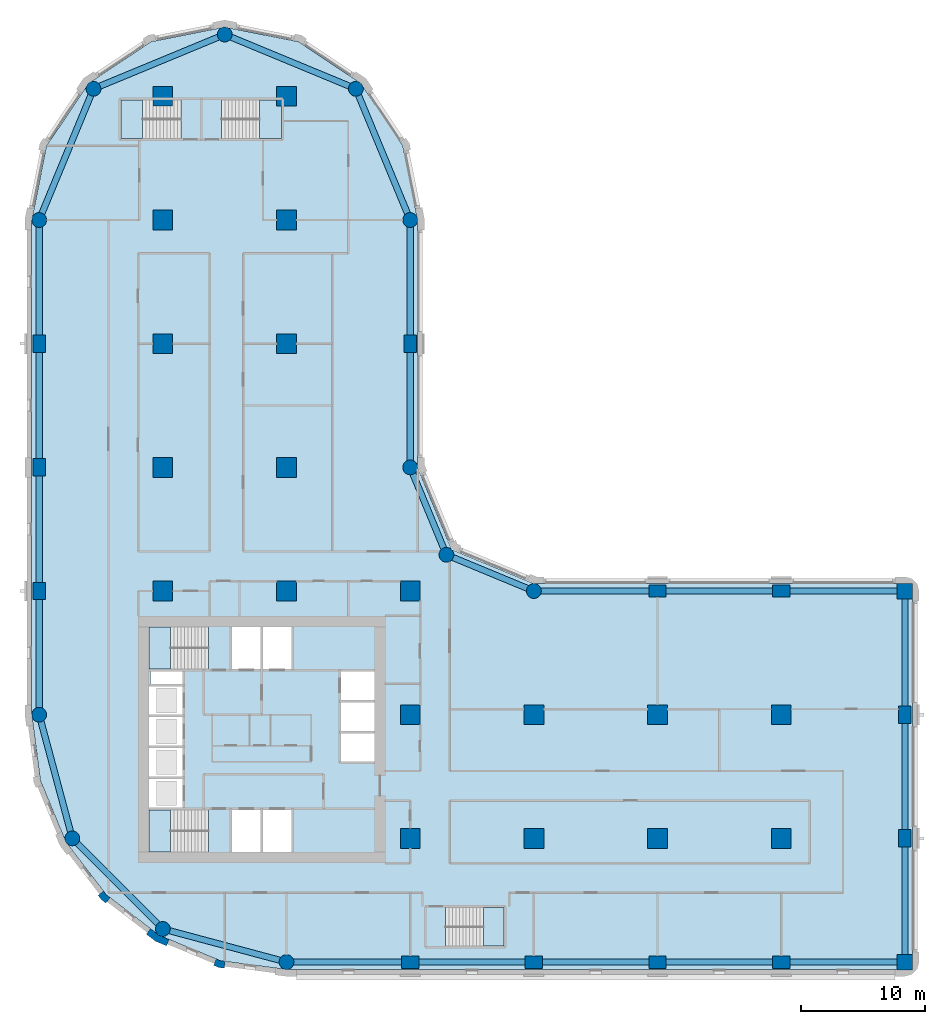
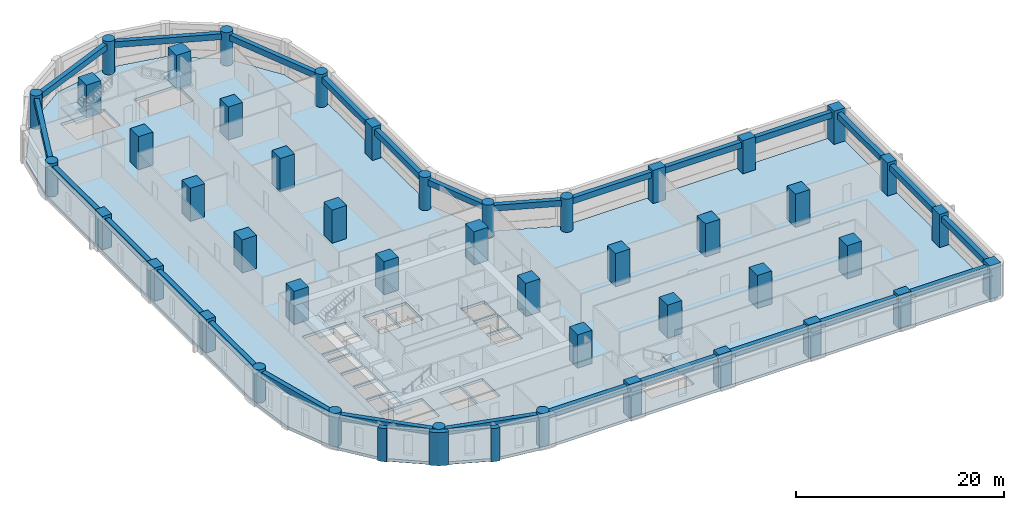
# One storey, part 1 of 10: 45 columns, 26 beams, 6 slabs, 3 walls, 5 elements without a shape of their own.
"""IFC4 building model written with IfcOpenShell, lengths in metres."""

from ifc_helpers import new_model, si_unit, direction, frame, origin, origin_2d, place, context, subcontext, project, spatial, polyline, rectangle, circle, outline, extrude, material, layer, layer_set, material_profile, profile_set, type_object, element, aggregate, save


model = new_model("IFC4")

# Units and contexts
model_context = context("Model", 3, precision=1e-05, world=origin(), true_north=direction((0.0, 1.0)))
body_context = subcontext(model_context, "Body", "Model", "MODEL_VIEW")
ifc_project = project(units=[si_unit("LENGTHUNIT", "METRE"), si_unit("AREAUNIT", "SQUARE_METRE"), si_unit("VOLUMEUNIT", "CUBIC_METRE"), si_unit("PLANEANGLEUNIT", "RADIAN"), si_unit("MASSUNIT", "GRAM", prefix="KILO")], contexts=[model_context])

# Site, building, storey
site_placement = place(None, origin())
site = spatial("IfcSite", under=ifc_project, at=site_placement, CompositionType="ELEMENT")
building_placement = place(site_placement, origin())
building = spatial("IfcBuilding", under=site, at=building_placement, Name="Qaws Garden Tower", CompositionType="ELEMENT")
storey_placement = place(building_placement, frame((0.0, 0.0, 105.60009765625)))
storey = spatial("IfcBuildingStorey", under=building, at=storey_placement, Name="L26", CompositionType="ELEMENT", Elevation=105.60009765625)

# Columns
ifc_material_1 = material(Name="Concrete C80", Category="concrete")
ifc_material_profile_1 = material_profile(ifc_material_1, rectangle(XDim=1.25, YDim=1.25, at=origin_2d()), Name="RC 1250x1250")
ifc_profile_set_1 = profile_set([ifc_material_profile_1], Name="Concrete C80")
column_type_1 = type_object("IfcColumnType", Name="Column RC 1250x1250 C80", PredefinedType="COLUMN", material=ifc_profile_set_1)
for number, where, z_axis, x_axis, name in (
    (1, (70.0, 0.0, 0.0), (0.0, 0.0, 1.0), (1.0, 0.0, 0.0), "Column L26-006"),
    (2, (70.0, 30.0, 0.0), (0.0, 0.0, 1.0), (1.0, 0.0, 0.0), "Column L26-009"),
):
    element("IfcColumn", number, at=place(storey_placement, frame(where, z_axis=z_axis, x_axis=x_axis)), inside=storey, type_object=column_type_1, Name=name, PredefinedType="COLUMN", context=body_context, shape_type="SweptSolid", body=[
        extrude(rectangle(XDim=1.25, YDim=1.25, at=origin_2d()), origin(), (0.0, 0.0, 1.0), 3.89990234375),
    ])
ifc_material_2 = material(Name="Concrete C80", Category="concrete")
ifc_material_profile_2 = material_profile(ifc_material_2, rectangle(XDim=1.39990234375, YDim=1.0, at=origin_2d()), Name="RC 1400x1000")
ifc_profile_set_2 = profile_set([ifc_material_profile_2], Name="Concrete C80")
column_type_2 = type_object("IfcColumnType", Name="Column RC 1400x1000 C80", PredefinedType="COLUMN", material=ifc_profile_set_2)
for number, where, z_axis, x_axis, name in (
    (3, (30.0, 0.0, 0.0), (0.0, 0.0, 1.0), (1.0, 0.0, 0.0), "Column L26-002"),
    (4, (40.0, 0.0, 0.0), (0.0, 0.0, 1.0), (1.0, 0.0, 0.0), "Column L26-003"),
    (5, (50.0, 0.0, 0.0), (0.0, 0.0, 1.0), (1.0, 0.0, 0.0), "Column L26-004"),
    (6, (60.0, 0.0, 0.0), (0.0, 0.0, 1.0), (1.0, 0.0, 0.0), "Column L26-005"),
    (7, (70.0, 10.0, 0.0), (0.0, 0.0, 1.0), (0.0, 1.0, 0.0), "Column L26-007"),
    (8, (70.0, 20.0, 0.0), (0.0, 0.0, 1.0), (0.0, 1.0, 0.0), "Column L26-008"),
    (9, (60.0, 30.0, 0.0), (0.0, 0.0, 1.0), (1.0, 0.0, 0.0), "Column L26-010"),
    (10, (50.0, 30.0, 0.0), (0.0, 0.0, 1.0), (1.0, 0.0, 0.0), "Column L26-011"),
    (11, (30.0, 50.0, 0.0), (0.0, 0.0, 1.0), (0.0, 1.0, 0.0), "Column L26-015"),
    (12, (0.0, 50.0, 0.0), (0.0, 0.0, 1.0), (0.0, 1.0, 0.0), "Column L26-021"),
    (13, (0.0, 40.0, 0.0), (0.0, 0.0, 1.0), (0.0, 1.0, 0.0), "Column L26-022"),
    (14, (0.0, 30.0, 0.0), (0.0, 0.0, 1.0), (0.0, 1.0, 0.0), "Column L26-023"),
):
    element("IfcColumn", number, at=place(storey_placement, frame(where, z_axis=z_axis, x_axis=x_axis)), inside=storey, type_object=column_type_2, Name=name, PredefinedType="COLUMN", context=body_context, shape_type="SweptSolid", body=[
        extrude(rectangle(XDim=1.39990234375, YDim=1.0, at=origin_2d()), origin(), (0.0, 0.0, 1.0), 3.89990234375),
    ])
ifc_material_3 = material(Name="Concrete C80", Category="concrete")
ifc_material_profile_3 = material_profile(ifc_material_3, rectangle(XDim=1.60009765625, YDim=1.60009765625, at=origin_2d()), Name="RC 1600x1600")
ifc_profile_set_3 = profile_set([ifc_material_profile_3], Name="Concrete C80")
column_type_3 = type_object("IfcColumnType", Name="Column RC 1600x1600 C80", PredefinedType="COLUMN", material=ifc_profile_set_3)
for number, where, z_axis, x_axis, name in (
    (15, (10.0, 30.0, 0.0), (0.0, 0.0, 1.0), (1.0, 0.0, 0.0), "Column L26-027"),
    (16, (10.0, 40.0, 0.0), (0.0, 0.0, 1.0), (1.0, 0.0, 0.0), "Column L26-028"),
    (17, (10.0, 50.0, 0.0), (0.0, 0.0, 1.0), (1.0, 0.0, 0.0), "Column L26-029"),
    (18, (10.0, 60.0, 0.0), (0.0, 0.0, 1.0), (1.0, 0.0, 0.0), "Column L26-030"),
    (19, (10.0, 70.0, 0.0), (0.0, 0.0, 1.0), (1.0, 0.0, 0.0), "Column L26-031"),
    (20, (20.0, 30.0, 0.0), (0.0, 0.0, 1.0), (1.0, 0.0, 0.0), "Column L26-032"),
    (21, (20.0, 40.0, 0.0), (0.0, 0.0, 1.0), (1.0, 0.0, 0.0), "Column L26-033"),
    (22, (20.0, 50.0, 0.0), (0.0, 0.0, 1.0), (1.0, 0.0, 0.0), "Column L26-034"),
    (23, (20.0, 60.0, 0.0), (0.0, 0.0, 1.0), (1.0, 0.0, 0.0), "Column L26-035"),
    (24, (20.0, 70.0, 0.0), (0.0, 0.0, 1.0), (1.0, 0.0, 0.0), "Column L26-036"),
    (25, (30.0, 10.0, 0.0), (0.0, 0.0, 1.0), (1.0, 0.0, 0.0), "Column L26-037"),
    (26, (30.0, 20.0, 0.0), (0.0, 0.0, 1.0), (1.0, 0.0, 0.0), "Column L26-038"),
    (27, (30.0, 30.0, 0.0), (0.0, 0.0, 1.0), (1.0, 0.0, 0.0), "Column L26-039"),
    (28, (40.0, 10.0, 0.0), (0.0, 0.0, 1.0), (1.0, 0.0, 0.0), "Column L26-040"),
    (29, (40.0, 20.0, 0.0), (0.0, 0.0, 1.0), (1.0, 0.0, 0.0), "Column L26-041"),
    (30, (50.0, 10.0, 0.0), (0.0, 0.0, 1.0), (1.0, 0.0, 0.0), "Column L26-042"),
    (31, (50.0, 20.0, 0.0), (0.0, 0.0, 1.0), (1.0, 0.0, 0.0), "Column L26-043"),
    (32, (60.0, 10.0, 0.0), (0.0, 0.0, 1.0), (1.0, 0.0, 0.0), "Column L26-044"),
    (33, (60.0, 20.0, 0.0), (0.0, 0.0, 1.0), (1.0, 0.0, 0.0), "Column L26-045"),
):
    element("IfcColumn", number, at=place(storey_placement, frame(where, z_axis=z_axis, x_axis=x_axis)), inside=storey, type_object=column_type_3, Name=name, PredefinedType="COLUMN", context=body_context, shape_type="SweptSolid", body=[
        extrude(rectangle(XDim=1.60009765625, YDim=1.60009765625, at=origin_2d()), origin(), (0.0, 0.0, 1.0), 3.89990234375),
    ])
ifc_material_4 = material(Name="Concrete C80", Category="concrete")
ifc_material_profile_4 = material_profile(ifc_material_4, circle(Radius=0.60009765625, at=origin_2d()), Name="RC D1200")
ifc_profile_set_4 = profile_set([ifc_material_profile_4], Name="Concrete C80")
column_type_4 = type_object("IfcColumnType", Name="Column RC D1200 C80", PredefinedType="COLUMN", material=ifc_profile_set_4)
for number, where, z_axis, x_axis, name in (
    (34, (20.0, 0.0, 0.0), (0.0, 0.0, 1.0), (1.0, 0.0, 0.0), "Column L26-001"),
    (35, (40.0, 30.0, 0.0), (0.0, 0.0, 1.0), (1.0, 0.0, 0.0), "Column L26-012"),
    (36, (32.928955078125, 32.928955078125, 0.0), (0.0, 0.0, 1.0), (1.0, 0.0, 0.0), "Column L26-013"),
    (37, (30.0, 40.0, 0.0), (0.0, 0.0, 1.0), (1.0, 0.0, 0.0), "Column L26-014"),
    (38, (30.0, 60.0, 0.0), (0.0, 0.0, 1.0), (1.0, 0.0, 0.0), "Column L26-016"),
    (39, (25.606689453125, 70.606689453125, 0.0), (0.0, 0.0, 1.0), (1.0, 0.0, 0.0), "Column L26-017"),
    (40, (15.0, 75.0, 0.0), (0.0, 0.0, 1.0), (1.0, 0.0, 0.0), "Column L26-018"),
    (41, (4.393310546875, 70.606689453125, 0.0), (0.0, 0.0, 1.0), (1.0, 0.0, 0.0), "Column L26-019"),
    (42, (0.0, 60.0, 0.0), (0.0, 0.0, 1.0), (1.0, 0.0, 0.0), "Column L26-020"),
    (43, (0.0, 20.0, 0.0), (0.0, 0.0, 1.0), (1.0, 0.0, 0.0), "Column L26-024"),
    (44, (2.679443359375, 10.0, 0.0), (0.0, 0.0, 1.0), (1.0, 0.0, 0.0), "Column L26-025"),
    (45, (10.0, 2.679443359375, 0.0), (0.0, 0.0, 1.0), (1.0, 0.0, 0.0), "Column L26-026"),
):
    element("IfcColumn", number, at=place(storey_placement, frame(where, z_axis=z_axis, x_axis=x_axis)), inside=storey, type_object=column_type_4, Name=name, PredefinedType="COLUMN", context=body_context, shape_type="SweptSolid", body=[
        extrude(circle(Radius=0.60009765625, at=origin_2d()), origin(), (0.0, 0.0, 1.0), 3.89990234375),
    ])

# Beams
ifc_material_5 = material(Name="Concrete C45", Category="concrete")
ifc_material_profile_5 = material_profile(ifc_material_5, rectangle(XDim=0.5, YDim=0.699951171875, at=origin_2d()), Name="RC 500x700")
ifc_profile_set_5 = profile_set([ifc_material_profile_5], Name="Concrete C45")
beam_type = type_object("IfcBeamType", Name="Spandrel beam RC 500x700 C45", PredefinedType="SPANDREL", material=ifc_profile_set_5)
for number, where, z_axis, x_axis, name in (
    (46, (20.0, 0.0, 3.22998046875), (1.0, 0.0, 0.0), (0.0, 1.0, 0.0), "Spandrel beam L26-001"),
    (47, (30.0, 0.0, 3.22998046875), (1.0, 0.0, 0.0), (0.0, 1.0, 0.0), "Spandrel beam L26-002"),
    (48, (40.0, 0.0, 3.22998046875), (1.0, 0.0, 0.0), (0.0, 1.0, 0.0), "Spandrel beam L26-003"),
    (49, (50.0, 0.0, 3.22998046875), (1.0, 0.0, 0.0), (0.0, 1.0, 0.0), "Spandrel beam L26-004"),
    (50, (60.0, 0.0, 3.22998046875), (1.0, 0.0, 0.0), (0.0, 1.0, 0.0), "Spandrel beam L26-005"),
    (51, (70.0, 0.0, 3.22998046875), (0.0, 1.0, 0.0), (-1.0, 0.0, 0.0), "Spandrel beam L26-006"),
    (52, (70.0, 10.0, 3.22998046875), (0.0, 1.0, 0.0), (-1.0, 0.0, 0.0), "Spandrel beam L26-007"),
    (53, (70.0, 20.0, 3.22998046875), (0.0, 1.0, 0.0), (-1.0, 0.0, 0.0), "Spandrel beam L26-008"),
    (54, (70.0, 30.0, 3.22998046875), (-1.0, 0.0, 0.0), (0.0, -1.0, 0.0), "Spandrel beam L26-009"),
    (55, (60.0, 30.0, 3.22998046875), (-1.0, 0.0, 0.0), (0.0, -1.0, 0.0), "Spandrel beam L26-010"),
    (56, (50.0, 30.0, 3.22998046875), (-1.0, 0.0, 0.0), (0.0, -1.0, 0.0), "Spandrel beam L26-011"),
):
    element("IfcBeam", number, at=place(storey_placement, frame(where, z_axis=z_axis, x_axis=x_axis)), inside=storey, type_object=beam_type, Name=name, PredefinedType="SPANDREL", context=body_context, shape_type="SweptSolid", body=[
        extrude(rectangle(XDim=0.5, YDim=0.699951171875, at=origin_2d()), origin(), (0.0, 0.0, 1.0), 10.0),
    ])
for number, where, z_axis, x_axis, name in (
    (57, (40.0, 30.0, 3.22998046875), (-0.923878037141, 0.382687042488, 0.0), (-0.382687042488, -0.923878037141, 0.0), "Spandrel beam L26-012"),
    (58, (32.928955078125, 32.928955078125, 3.22998046875), (-0.382687042488, 0.923878037141, 0.0), (-0.923878037141, -0.382687042488, 0.0), "Spandrel beam L26-013"),
):
    element("IfcBeam", number, at=place(storey_placement, frame(where, z_axis=z_axis, x_axis=x_axis)), inside=storey, type_object=beam_type, Name=name, PredefinedType="SPANDREL", context=body_context, shape_type="SweptSolid", body=[
        extrude(rectangle(XDim=0.5, YDim=0.699951171875, at=origin_2d()), origin(), (0.0, 0.0, 1.0), 7.653564453125),
    ])
for number, where, z_axis, x_axis, name in (
    (59, (30.0, 40.0, 3.22998046875), (0.0, 1.0, 0.0), (-1.0, 0.0, 0.0), "Spandrel beam L26-014"),
    (60, (30.0, 50.0, 3.22998046875), (0.0, 1.0, 0.0), (-1.0, 0.0, 0.0), "Spandrel beam L26-015"),
):
    element("IfcBeam", number, at=place(storey_placement, frame(where, z_axis=z_axis, x_axis=x_axis)), inside=storey, type_object=beam_type, Name=name, PredefinedType="SPANDREL", context=body_context, shape_type="SweptSolid", body=[
        extrude(rectangle(XDim=0.5, YDim=0.699951171875, at=origin_2d()), origin(), (0.0, 0.0, 1.0), 10.0),
    ])
for number, where, z_axis, x_axis, name in (
    (61, (30.0, 60.0, 3.22998046875), (-0.382674207535, 0.923883353507, 0.0), (-0.923883353507, -0.382674207535, 0.0), "Spandrel beam L26-016"),
    (62, (25.606689453125, 70.606689453125, 3.22998046875), (-0.923883353507, 0.382674207535, 0.0), (-0.382674207535, -0.923883353507, 0.0), "Spandrel beam L26-017"),
    (63, (15.0, 75.0, 3.22998046875), (-0.923883353507, -0.382674207535, 0.0), (0.382674207535, -0.923883353507, 0.0), "Spandrel beam L26-018"),
    (64, (4.393310546875, 70.606689453125, 3.22998046875), (-0.382674207535, -0.923883353507, 0.0), (0.923883353507, -0.382674207535, 0.0), "Spandrel beam L26-019"),
):
    element("IfcBeam", number, at=place(storey_placement, frame(where, z_axis=z_axis, x_axis=x_axis)), inside=storey, type_object=beam_type, Name=name, PredefinedType="SPANDREL", context=body_context, shape_type="SweptSolid", body=[
        extrude(rectangle(XDim=0.5, YDim=0.699951171875, at=origin_2d()), origin(), (0.0, 0.0, 1.0), 11.48046875),
    ])
for number, where, z_axis, x_axis, name in (
    (65, (0.0, 60.0, 3.22998046875), (0.0, -1.0, 0.0), (1.0, 0.0, 0.0), "Spandrel beam L26-020"),
    (66, (0.0, 50.0, 3.22998046875), (0.0, -1.0, 0.0), (1.0, 0.0, 0.0), "Spandrel beam L26-021"),
    (67, (0.0, 40.0, 3.22998046875), (0.0, -1.0, 0.0), (1.0, 0.0, 0.0), "Spandrel beam L26-022"),
    (68, (0.0, 30.0, 3.22998046875), (0.0, -1.0, 0.0), (1.0, 0.0, 0.0), "Spandrel beam L26-023"),
):
    element("IfcBeam", number, at=place(storey_placement, frame(where, z_axis=z_axis, x_axis=x_axis)), inside=storey, type_object=beam_type, Name=name, PredefinedType="SPANDREL", context=body_context, shape_type="SweptSolid", body=[
        extrude(rectangle(XDim=0.5, YDim=0.699951171875, at=origin_2d()), origin(), (0.0, 0.0, 1.0), 10.0),
    ])
for number, where, z_axis, x_axis, name in (
    (69, (0.0, 20.0, 3.22998046875), (0.25881466832, -0.965926999034, 0.0), (0.965926999034, 0.25881466832, 0.0), "Spandrel beam L26-024"),
    (70, (2.679443359375, 10.0, 3.22998046875), (0.707106781187, -0.707106781187, 0.0), (0.707106781187, 0.707106781187, 0.0), "Spandrel beam L26-025"),
    (71, (10.0, 2.679443359375, 3.22998046875), (0.965926999034, -0.25881466832, 0.0), (0.25881466832, 0.965926999034, 0.0), "Spandrel beam L26-026"),
):
    element("IfcBeam", number, at=place(storey_placement, frame(where, z_axis=z_axis, x_axis=x_axis)), inside=storey, type_object=beam_type, Name=name, PredefinedType="SPANDREL", context=body_context, shape_type="SweptSolid", body=[
        extrude(rectangle(XDim=0.5, YDim=0.699951171875, at=origin_2d()), origin(), (0.0, 0.0, 1.0), 10.352783203125),
    ])

# Slab
ifc_material_6 = material(Name="Concrete C40", Category="concrete")
ifc_layer_1 = layer(ifc_material_6, 0.320068359375)
ifc_layer_set_1 = layer_set([ifc_layer_1], Name="Concrete C40")
slab_type_1 = type_object("IfcSlabType", Name="Floor slab 320 C40", PredefinedType="FLOOR", material=ifc_layer_set_1)
slab_1_placement = place(storey_placement, frame((0.0, 0.0, -0.320068359375)))
element("IfcSlab", 72, at=slab_1_placement, inside=storey, type_object=slab_type_1, Name="Floor slab L26", PredefinedType="FLOOR", context=body_context, shape_type="SweptSolid", body=[
    extrude(outline(polyline([(0.101806640625, 14.668212890625), (-0.60009765625, 20.0), (-0.60009765625, 30.60009765625), (-0.60009765625, 60.0), (-0.60009765625, 60.0), (0.58740234375, 65.969970703125), (3.968994140625, 71.031005859375), (9.030029296875, 74.41259765625), (15.0, 75.60009765625), (20.969970703125, 74.41259765625), (26.031005859375, 71.031005859375), (29.41259765625, 65.969970703125), (30.60009765625, 60.0), (30.60009765625, 40.0), (33.353271484375, 33.353271484375), (40.0, 30.60009765625), (70.0, 30.60009765625), (70.42431640625, 30.42431640625), (70.60009765625, 30.0), (70.60009765625, 0.0), (70.42431640625, -0.42431640625), (70.0, -0.60009765625), (30.60009765625, -0.60009765625), (20.0, -0.60009765625), (14.668212890625, 0.101806640625), (9.699951171875, 2.159912109375), (5.43359375, 5.43359375), (2.159912109375, 9.699951171875), (0.101806640625, 14.668212890625)]), holes=[polyline([(13.699462890625, 12.300048828125), (8.89990234375, 12.300048828125), (8.89990234375, 8.89990234375), (13.699462890625, 8.89990234375), (13.699462890625, 12.300048828125)]), polyline([(17.89990234375, 12.300048828125), (15.60009765625, 12.300048828125), (15.60009765625, 8.89990234375), (17.89990234375, 8.89990234375), (17.89990234375, 12.300048828125)]), polyline([(11.60009765625, 14.800048828125), (8.89990234375, 14.800048828125), (8.89990234375, 12.5), (11.60009765625, 12.5), (11.60009765625, 14.800048828125)]), polyline([(11.60009765625, 17.300048828125), (8.89990234375, 17.300048828125), (8.89990234375, 15.0), (11.60009765625, 15.0), (11.60009765625, 17.300048828125)]), polyline([(11.60009765625, 19.800048828125), (8.89990234375, 19.800048828125), (8.89990234375, 17.5), (11.60009765625, 17.5), (11.60009765625, 19.800048828125)]), polyline([(11.60009765625, 22.300048828125), (8.89990234375, 22.300048828125), (8.89990234375, 20.0), (11.60009765625, 20.0), (11.60009765625, 22.300048828125)]), polyline([(11.60009765625, 23.5), (9.0, 23.5), (9.0, 22.5), (11.60009765625, 22.5), (11.60009765625, 23.5)]), polyline([(13.699462890625, 27.10009765625), (8.89990234375, 27.10009765625), (8.89990234375, 23.699951171875), (13.699462890625, 23.699951171875), (13.699462890625, 27.10009765625)]), polyline([(11.449462890625, 69.699951171875), (6.60009765625, 69.699951171875), (6.60009765625, 66.60009765625), (11.449462890625, 66.60009765625), (11.449462890625, 69.699951171875)]), polyline([(37.60009765625, 4.39990234375), (32.8505859375, 4.39990234375), (32.8505859375, 1.300048828125), (37.60009765625, 1.300048828125), (37.60009765625, 4.39990234375)]), polyline([(20.39990234375, 12.300048828125), (18.10009765625, 12.300048828125), (18.10009765625, 8.89990234375), (20.39990234375, 8.89990234375), (20.39990234375, 12.300048828125)]), polyline([(27.10009765625, 18.5), (24.39990234375, 18.5), (24.39990234375, 16.199951171875), (27.10009765625, 16.199951171875), (27.10009765625, 18.5)]), polyline([(27.10009765625, 21.0), (24.39990234375, 21.0), (24.39990234375, 18.699951171875), (27.10009765625, 18.699951171875), (27.10009765625, 21.0)]), polyline([(27.10009765625, 23.5), (24.39990234375, 23.5), (24.39990234375, 21.199951171875), (27.10009765625, 21.199951171875), (27.10009765625, 23.5)]), polyline([(17.89990234375, 27.10009765625), (15.60009765625, 27.10009765625), (15.60009765625, 23.699951171875), (17.89990234375, 23.699951171875), (17.89990234375, 27.10009765625)]), polyline([(20.39990234375, 23.699951171875), (20.39990234375, 27.10009765625), (18.10009765625, 27.10009765625), (18.10009765625, 23.699951171875), (20.39990234375, 23.699951171875)]), polyline([(19.60009765625, 66.60009765625), (19.60009765625, 69.699951171875), (14.75048828125, 69.699951171875), (14.75048828125, 66.60009765625), (19.60009765625, 66.60009765625)])]), origin(), (0.0, 0.0, 1.0), 0.320068359375),
])

# Stair, slab
ifc_material_7 = material(Name="Concrete C40", Category="concrete")
stair_type_1 = type_object("IfcStairType", Name="Exit stair 1500", PredefinedType="HALF_TURN_STAIR", material=ifc_material_7)
placement_1 = place(storey_placement, origin())
stair_1 = element("IfcStair", 73, at=placement_1, inside=storey, type_object=stair_type_1, Name="Stair 1", PredefinedType="HALF_TURN_STAIR")
ifc_material_8 = material(Name="Concrete C40", Category="concrete")
ifc_layer_2 = layer(ifc_material_8, 0.199951171875)
ifc_layer_set_2 = layer_set([ifc_layer_2], Name="Concrete C40")
slab_type_2 = type_object("IfcSlabType", Name="Stair landing 200", PredefinedType="LANDING", material=ifc_layer_set_2)
placement_2 = place(storey_placement, frame((0.0, 0.0, 1.75)))
slab_2 = element("IfcSlab", 74, at=placement_2, type_object=slab_type_2, Name="ST1 landing 1", PredefinedType="LANDING", context=body_context, shape_type="SweptSolid", body=[
    extrude(outline(polyline([(8.89990234375, 8.89990234375), (10.6201171875, 8.89990234375), (10.6201171875, 12.300048828125), (8.89990234375, 12.300048828125), (8.89990234375, 8.89990234375)])), origin(), (0.0, 0.0, 1.0), 0.199951171875),
])
aggregate(stair_1, [slab_2])

stair_2 = element("IfcStair", 75, at=placement_1, inside=storey, type_object=stair_type_1, Name="Stair 4", PredefinedType="HALF_TURN_STAIR")
slab_3 = element("IfcSlab", 76, at=placement_2, type_object=slab_type_2, Name="ST4 landing 1", PredefinedType="LANDING", context=body_context, shape_type="SweptSolid", body=[
    extrude(outline(polyline([(8.89990234375, 23.699951171875), (10.6201171875, 23.699951171875), (10.6201171875, 27.10009765625), (8.89990234375, 27.10009765625), (8.89990234375, 23.699951171875)])), origin(), (0.0, 0.0, 1.0), 0.199951171875),
])
aggregate(stair_2, [slab_3])

ifc_material_9 = material(Name="Concrete C40", Category="concrete")
stair_type_2 = type_object("IfcStairType", Name="Exit stair 1350", PredefinedType="HALF_TURN_STAIR", material=ifc_material_9)
stair_3 = element("IfcStair", 77, at=placement_1, inside=storey, type_object=stair_type_2, Name="Stair 5", PredefinedType="HALF_TURN_STAIR")
slab_4 = element("IfcSlab", 78, at=placement_2, type_object=slab_type_2, Name="ST5 landing 1", PredefinedType="LANDING", context=body_context, shape_type="SweptSolid", body=[
    extrude(outline(polyline([(35.929931640625, 1.300048828125), (37.60009765625, 1.300048828125), (37.60009765625, 4.39990234375), (35.929931640625, 4.39990234375), (35.929931640625, 1.300048828125)])), origin(), (0.0, 0.0, 1.0), 0.199951171875),
])
aggregate(stair_3, [slab_4])

stair_4 = element("IfcStair", 79, at=placement_1, inside=storey, type_object=stair_type_2, Name="Stair 6", PredefinedType="HALF_TURN_STAIR")
slab_5 = element("IfcSlab", 80, at=placement_2, type_object=slab_type_2, Name="ST6 landing 1", PredefinedType="LANDING", context=body_context, shape_type="SweptSolid", body=[
    extrude(outline(polyline([(6.60009765625, 66.60009765625), (8.3701171875, 66.60009765625), (8.3701171875, 69.699951171875), (6.60009765625, 69.699951171875), (6.60009765625, 66.60009765625)])), origin(), (0.0, 0.0, 1.0), 0.199951171875),
])
aggregate(stair_4, [slab_5])

stair_5 = element("IfcStair", 81, at=placement_1, inside=storey, type_object=stair_type_2, Name="Stair 7", PredefinedType="HALF_TURN_STAIR")
slab_6 = element("IfcSlab", 82, at=placement_2, type_object=slab_type_2, Name="ST7 landing 1", PredefinedType="LANDING", context=body_context, shape_type="SweptSolid", body=[
    extrude(outline(polyline([(17.830078125, 66.60009765625), (19.60009765625, 66.60009765625), (19.60009765625, 69.699951171875), (17.830078125, 69.699951171875), (17.830078125, 66.60009765625)])), origin(), (0.0, 0.0, 1.0), 0.199951171875),
])
aggregate(stair_5, [slab_6])

# Walls
ifc_material_10 = material(Name="Clay facing brick masonry", Category="masonry")
ifc_layer_3 = layer(ifc_material_10, 0.550048828125)
ifc_layer_set_3 = layer_set([ifc_layer_3], Name="Clay facing brick masonry")
wall_type_1 = type_object("IfcWallType", Name="Brick kink pier 550 x 600", PredefinedType="SOLIDWALL", material=ifc_layer_set_3)
element("IfcWall", 83, at=placement_1, inside=storey, type_object=wall_type_1, Name="E-L26-pier-30", PredefinedType="SOLIDWALL", context=body_context, shape_type="SweptSolid", body=[
    extrude(outline(polyline([(4.8818359375, 5.487060546875), (4.762939453125, 5.395751953125), (5.03759765625, 5.03759765625), (5.395751953125, 4.762939453125), (5.487060546875, 4.8818359375), (5.730712890625, 5.19921875), (5.429931640625, 5.429931640625), (5.19921875, 5.730712890625), (4.8818359375, 5.487060546875)])), origin(), (0.0, 0.0, 1.0), 3.89990234375),
])
element("IfcWall", 84, at=placement_1, inside=storey, type_object=wall_type_1, Name="E-L26-pier-32", PredefinedType="SOLIDWALL", context=body_context, shape_type="SweptSolid", body=[
    extrude(outline(polyline([(14.163818359375, -0.127685546875), (14.1064453125, -0.26611328125), (14.5234375, -0.43896484375), (14.970947265625, -0.497802734375), (14.990478515625, -0.34912109375), (15.042724609375, 0.04736328125), (14.6669921875, 0.096923828125), (14.31689453125, 0.241943359375), (14.163818359375, -0.127685546875)])), origin(), (0.0, 0.0, 1.0), 3.89990234375),
])
ifc_material_11 = material(Name="Clay facing brick masonry", Category="masonry")
ifc_layer_4 = layer(ifc_material_11, 0.550048828125)
ifc_layer_set_4 = layer_set([ifc_layer_4], Name="Clay facing brick masonry")
wall_type_2 = type_object("IfcWallType", Name="Brick pier 550 x 1600", PredefinedType="SOLIDWALL", material=ifc_layer_set_4)
element("IfcWall", 85, at=placement_1, inside=storey, type_object=wall_type_2, Name="E-L26-pier-31", PredefinedType="SOLIDWALL", context=body_context, shape_type="SweptSolid", body=[
    extrude(outline(polyline([(8.756591796875, 2.373046875), (8.665283203125, 2.254150390625), (9.419921875, 1.675048828125), (10.299072265625, 1.310791015625), (10.3564453125, 1.449462890625), (10.509521484375, 1.819091796875), (9.697509765625, 2.1552734375), (9.0, 2.6904296875), (8.756591796875, 2.373046875)])), origin(), (0.0, 0.0, 1.0), 3.89990234375),
])

save(model, "model.ifc")
